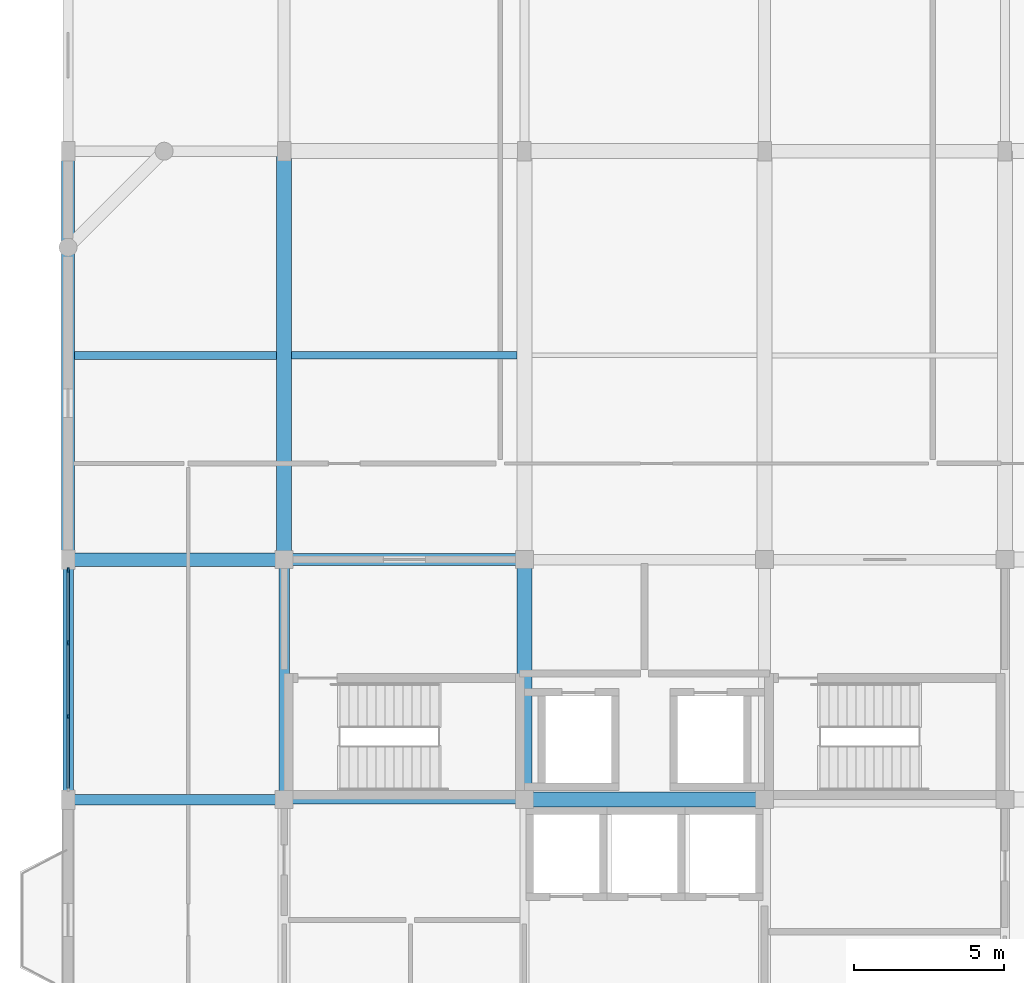
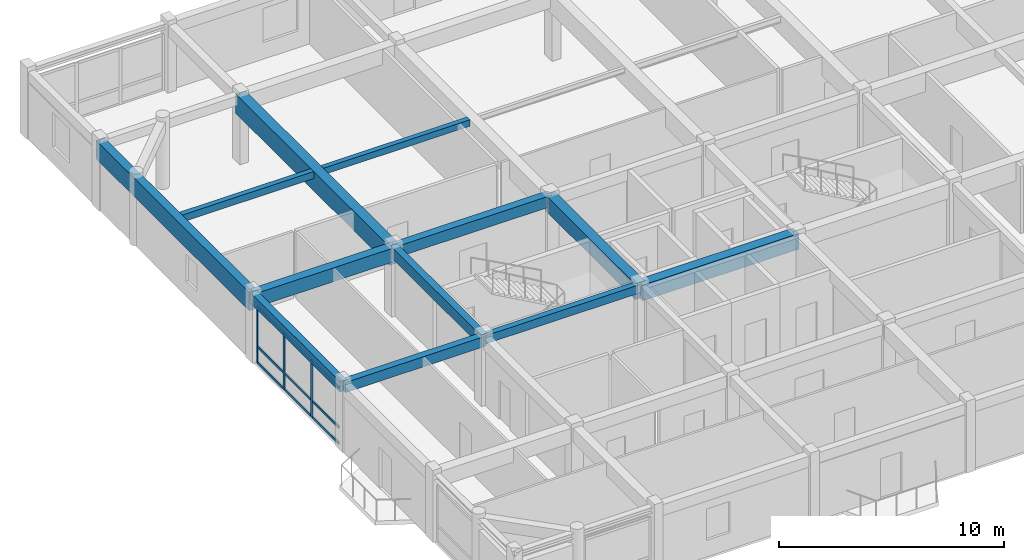
# One storey, part 3 of 13: 12 beams, 12 members, 1 element without a shape of its own.
"""IFC4 building model written with IfcOpenShell, lengths in metres."""

from ifc_helpers import new_model, si_unit, direction, frame, origin, origin_2d, place, context, subcontext, project, spatial, rectangle, extrude, material, material_profile, profile_set, type_object, element, aggregate, save


model = new_model("IFC4")

# Units and contexts
model_context = context("Model", 3, precision=1e-05, world=origin(), true_north=direction((0.0, 1.0)))
body_context = subcontext(model_context, "Body", "Model", "MODEL_VIEW")
ifc_project = project(units=[si_unit("LENGTHUNIT", "METRE"), si_unit("AREAUNIT", "SQUARE_METRE"), si_unit("VOLUMEUNIT", "CUBIC_METRE"), si_unit("PLANEANGLEUNIT", "RADIAN"), si_unit("MASSUNIT", "GRAM", prefix="KILO")], contexts=[model_context])

# Site, building, storey
site_placement = place(None, origin())
site = spatial("IfcSite", under=ifc_project, at=site_placement, CompositionType="ELEMENT")
building_placement = place(site_placement, origin())
building = spatial("IfcBuilding", under=site, at=building_placement, Name="Vellmiral Cinema and Media Centre", CompositionType="ELEMENT")
storey_placement = place(building_placement, frame((0.0, 0.0, 54.800048828125)))
storey = spatial("IfcBuildingStorey", under=building, at=storey_placement, Name="L13", CompositionType="ELEMENT", Elevation=54.800048828125)

# Beams
ifc_material_1 = material(Name="Concrete C40/50", Category="concrete")
ifc_material_profile_1 = material_profile(ifc_material_1, rectangle(XDim=0.300048828125, YDim=0.449951171875, at=origin_2d()), Name="RC 300x450")
ifc_profile_set_1 = profile_set([ifc_material_profile_1], Name="Concrete C40/50")
beam_type_1 = type_object("IfcBeamType", Name="BM-RC-300x450", PredefinedType="BEAM", material=ifc_profile_set_1)
beam_1_placement = place(storey_placement, frame((124.0, 87.199951171875, 3.429931640625), z_axis=(1.0, 0.0, 0.0), x_axis=(0.0, 1.0, 0.0)))
element("IfcBeam", 1, at=beam_1_placement, inside=storey, type_object=beam_type_1, Name="Grid Beam L13-X014", PredefinedType="BEAM", context=body_context, shape_type="SweptSolid", body=[
    extrude(rectangle(XDim=0.300048828125, YDim=0.449951171875, at=origin_2d()), origin(), (0.0, 0.0, 1.0), 8.0),
])
ifc_material_2 = material(Name="Concrete C40/50", Category="concrete")
ifc_material_profile_2 = material_profile(ifc_material_2, rectangle(XDim=0.35009765625, YDim=0.550048828125, at=origin_2d()), Name="RC 350x550")
ifc_profile_set_2 = profile_set([ifc_material_profile_2], Name="Concrete C40/50")
beam_type_2 = type_object("IfcBeamType", Name="BM-RC-350x550", PredefinedType="BEAM", material=ifc_profile_set_2)
beam_2_placement = place(storey_placement, frame((116.800048828125, 87.199951171875, 3.3798828125), z_axis=(1.0, 0.0, 0.0), x_axis=(0.0, 1.0, 0.0)))
element("IfcBeam", 2, at=beam_2_placement, inside=storey, type_object=beam_type_2, Name="Grid Beam L13-X013", PredefinedType="BEAM", context=body_context, shape_type="SweptSolid", body=[
    extrude(rectangle(XDim=0.35009765625, YDim=0.550048828125, at=origin_2d()), origin(), (0.0, 0.0, 1.0), 7.199951171875),
])
ifc_material_3 = material(Name="Concrete C40/50", Category="concrete")
ifc_material_profile_3 = material_profile(ifc_material_3, rectangle(XDim=0.35009765625, YDim=0.60009765625, at=origin_2d()), Name="RC 350x600")
ifc_profile_set_3 = profile_set([ifc_material_profile_3], Name="Concrete C40/50")
beam_type_3 = type_object("IfcBeamType", Name="BM-RC-350x600", PredefinedType="BEAM", material=ifc_profile_set_3)
beam_3_placement = place(storey_placement, frame((124.0, 87.199951171875, 3.35498046875), z_axis=(0.0, 1.0, 0.0), x_axis=(-1.0, 0.0, 0.0)))
element("IfcBeam", 3, at=beam_3_placement, inside=storey, type_object=beam_type_3, Name="Grid Beam L13-Y043", PredefinedType="BEAM", context=body_context, shape_type="SweptSolid", body=[
    extrude(rectangle(XDim=0.35009765625, YDim=0.60009765625, at=origin_2d()), origin(), (0.0, 0.0, 1.0), 8.0),
])
ifc_material_4 = material(Name="Concrete C40/50", Category="concrete")
ifc_material_profile_4 = material_profile(ifc_material_4, rectangle(XDim=0.39990234375, YDim=0.60009765625, at=origin_2d()), Name="RC 400x600")
ifc_profile_set_4 = profile_set([ifc_material_profile_4], Name="Concrete C40/50")
beam_type_4 = type_object("IfcBeamType", Name="BM-RC-400x600", PredefinedType="BEAM", material=ifc_profile_set_4)
beam_4_placement = place(storey_placement, frame((124.0, 95.199951171875, 3.35498046875), z_axis=(1.0, 0.0, 0.0), x_axis=(0.0, 1.0, 0.0)))
element("IfcBeam", 4, at=beam_4_placement, inside=storey, type_object=beam_type_4, Name="Grid Beam L13-X020", PredefinedType="BEAM", context=body_context, shape_type="SweptSolid", body=[
    extrude(rectangle(XDim=0.39990234375, YDim=0.60009765625, at=origin_2d()), origin(), (0.0, 0.0, 1.0), 8.0),
])
ifc_material_5 = material(Name="Concrete C40/50", Category="concrete")
ifc_material_profile_5 = material_profile(ifc_material_5, rectangle(XDim=0.449951171875, YDim=0.75, at=origin_2d()), Name="RC 450x750")
ifc_profile_set_5 = profile_set([ifc_material_profile_5], Name="Concrete C40/50")
beam_type_5 = type_object("IfcBeamType", Name="BM-RC-450x750", PredefinedType="BEAM", material=ifc_profile_set_5)
beam_5_placement = place(storey_placement, frame((116.800048828125, 95.199951171875, 3.280029296875), z_axis=(1.0, 0.0, 0.0), x_axis=(0.0, 1.0, 0.0)))
element("IfcBeam", 5, at=beam_5_placement, inside=storey, type_object=beam_type_5, Name="Grid Beam L13-X019", PredefinedType="BEAM", context=body_context, shape_type="SweptSolid", body=[
    extrude(rectangle(XDim=0.449951171875, YDim=0.75, at=origin_2d()), origin(), (0.0, 0.0, 1.0), 7.199951171875),
])
ifc_material_6 = material(Name="Concrete C40/50", Category="concrete")
ifc_material_profile_6 = material_profile(ifc_material_6, rectangle(XDim=0.5, YDim=0.85009765625, at=origin_2d()), Name="RC 500x850")
ifc_profile_set_6 = profile_set([ifc_material_profile_6], Name="Concrete C40/50")
beam_type_6 = type_object("IfcBeamType", Name="BM-RC-500x850", PredefinedType="BEAM", material=ifc_profile_set_6)
for number, where, z_axis, x_axis, name in (
    (6, (132.0, 87.199951171875, 3.22998046875), (1.0, 0.0, 0.0), (0.0, 1.0, 0.0), "Grid Beam L13-X015"),
    (7, (132.0, 87.199951171875, 3.22998046875), (0.0, 1.0, 0.0), (-1.0, 0.0, 0.0), "Grid Beam L13-Y048"),
):
    element("IfcBeam", number, at=place(storey_placement, frame(where, z_axis=z_axis, x_axis=x_axis)), inside=storey, type_object=beam_type_6, Name=name, PredefinedType="BEAM", context=body_context, shape_type="SweptSolid", body=[
        extrude(rectangle(XDim=0.5, YDim=0.85009765625, at=origin_2d()), origin(), (0.0, 0.0, 1.0), 8.0),
    ])
ifc_material_7 = material(Name="Concrete C40/50", Category="concrete")
ifc_material_profile_7 = material_profile(ifc_material_7, rectangle(XDim=0.5, YDim=1.050048828125, at=origin_2d()), Name="RC 500x1050")
ifc_profile_set_7 = profile_set([ifc_material_profile_7], Name="Concrete C40/50")
beam_type_7 = type_object("IfcBeamType", Name="BM-RCG-500x1050", PredefinedType="BEAM", material=ifc_profile_set_7)
beam_6_placement = place(storey_placement, frame((124.0, 95.199951171875, 3.1298828125), z_axis=(0.0, 1.0, 0.0), x_axis=(-1.0, 0.0, 0.0)))
element("IfcBeam", 8, at=beam_6_placement, inside=storey, type_object=beam_type_7, Name="Grid Beam L13-Y044", PredefinedType="BEAM", context=body_context, shape_type="SweptSolid", body=[
    extrude(rectangle(XDim=0.5, YDim=1.050048828125, at=origin_2d()), origin(), (0.0, 0.0, 1.0), 13.60009765625),
])

# Curtain wall, members
ifc_material_8 = material(Name="Thermally Broken Aluminium and Triple Glazing", Category="aluminium")
curtain_wall_type = type_object("IfcCurtainWallType", Name="CW-TOWER-MID-W", PredefinedType="USERDEFINED", material=ifc_material_8)
curtain_wall_placement = place(storey_placement, origin())
curtain_wall = element("IfcCurtainWall", 9, at=curtain_wall_placement, inside=storey, type_object=curtain_wall_type, Name="Curtain Wall L13-B026", ObjectType="UNITISED CURTAIN WALL", PredefinedType="USERDEFINED")
ifc_material_9 = material(Name="Thermally Broken Anodised Aluminium", Category="aluminium")
ifc_material_profile_8 = material_profile(ifc_material_9, rectangle(XDim=0.06494140625, YDim=0.159912109375, at=origin_2d()), Name="MULL 65x160")
ifc_profile_set_8 = profile_set([ifc_material_profile_8], Name="Thermally Broken Anodised Aluminium")
member_type_1 = type_object("IfcMemberType", Name="CWM-65x160", PredefinedType="MULLION", material=ifc_profile_set_8)
member_1_placement = place(storey_placement, frame((116.800048828125, 94.842529296875, 0.0), z_axis=(0.0, 0.0, 1.0), x_axis=(1.0, 0.0, 0.0)))
member_1 = element("IfcMember", 10, at=member_1_placement, type_object=member_type_1, Name="CW-08 mullion 1", PredefinedType="MULLION", context=body_context, shape_type="SweptSolid", body=[
    extrude(rectangle(XDim=0.06494140625, YDim=0.159912109375, at=origin_2d()), origin(), (0.0, 0.0, 1.0), 3.06005859375),
])
member_2_placement = place(storey_placement, frame((116.800048828125, 92.425048828125, 0.0), z_axis=(0.0, 0.0, 1.0), x_axis=(1.0, 0.0, 0.0)))
member_2 = element("IfcMember", 11, at=member_2_placement, type_object=member_type_1, Name="CW-08 mullion 2", PredefinedType="MULLION", context=body_context, shape_type="SweptSolid", body=[
    extrude(rectangle(XDim=0.06494140625, YDim=0.159912109375, at=origin_2d()), origin(), (0.0, 0.0, 1.0), 3.06005859375),
])
member_3_placement = place(storey_placement, frame((116.800048828125, 89.97509765625, 0.0), z_axis=(0.0, 0.0, 1.0), x_axis=(1.0, 0.0, 0.0)))
member_3 = element("IfcMember", 12, at=member_3_placement, type_object=member_type_1, Name="CW-08 mullion 3", PredefinedType="MULLION", context=body_context, shape_type="SweptSolid", body=[
    extrude(rectangle(XDim=0.06494140625, YDim=0.159912109375, at=origin_2d()), origin(), (0.0, 0.0, 1.0), 3.06005859375),
])
ifc_material_10 = material(Name="Thermally Broken Anodised Aluminium", Category="aluminium")
ifc_material_profile_9 = material_profile(ifc_material_10, rectangle(XDim=0.06494140625, YDim=0.135009765625, at=origin_2d()), Name="MULL 65x135")
ifc_profile_set_9 = profile_set([ifc_material_profile_9], Name="Thermally Broken Anodised Aluminium")
member_type_2 = type_object("IfcMemberType", Name="CWT-65x135", PredefinedType="USERDEFINED", material=ifc_profile_set_9)
member_4_placement = place(storey_placement, frame((116.800048828125, 94.81005859375, 0.032470703125), z_axis=(0.0, -1.0, 0.0), x_axis=(1.0, 0.0, 0.0)))
member_4 = element("IfcMember", 13, at=member_4_placement, type_object=member_type_2, Name="CW-08 transom 1.1", ObjectType="TRANSOM", PredefinedType="USERDEFINED", context=body_context, shape_type="SweptSolid", body=[
    extrude(rectangle(XDim=0.06494140625, YDim=0.135009765625, at=origin_2d()), origin(), (0.0, 0.0, 1.0), 2.3525390625),
])
member_5_placement = place(storey_placement, frame((116.800048828125, 94.81005859375, 0.89990234375), z_axis=(0.0, -1.0, 0.0), x_axis=(1.0, 0.0, 0.0)))
member_5 = element("IfcMember", 14, at=member_5_placement, type_object=member_type_2, Name="CW-08 transom 1.2", ObjectType="TRANSOM", PredefinedType="USERDEFINED", context=body_context, shape_type="SweptSolid", body=[
    extrude(rectangle(XDim=0.06494140625, YDim=0.135009765625, at=origin_2d()), origin(), (0.0, 0.0, 1.0), 2.3525390625),
])
member_6_placement = place(storey_placement, frame((116.800048828125, 94.81005859375, 3.02734375), z_axis=(0.0, -1.0, 0.0), x_axis=(1.0, 0.0, 0.0)))
member_6 = element("IfcMember", 15, at=member_6_placement, type_object=member_type_2, Name="CW-08 transom 1.3", ObjectType="TRANSOM", PredefinedType="USERDEFINED", context=body_context, shape_type="SweptSolid", body=[
    extrude(rectangle(XDim=0.06494140625, YDim=0.135009765625, at=origin_2d()), origin(), (0.0, 0.0, 1.0), 2.3525390625),
])
member_7_placement = place(storey_placement, frame((116.800048828125, 92.392578125, 0.032470703125), z_axis=(0.0, -1.0, 0.0), x_axis=(1.0, 0.0, 0.0)))
member_7 = element("IfcMember", 16, at=member_7_placement, type_object=member_type_2, Name="CW-08 transom 2.1", ObjectType="TRANSOM", PredefinedType="USERDEFINED", context=body_context, shape_type="SweptSolid", body=[
    extrude(rectangle(XDim=0.06494140625, YDim=0.135009765625, at=origin_2d()), origin(), (0.0, 0.0, 1.0), 2.385009765625),
])
member_8_placement = place(storey_placement, frame((116.800048828125, 92.392578125, 0.89990234375), z_axis=(0.0, -1.0, 0.0), x_axis=(1.0, 0.0, 0.0)))
member_8 = element("IfcMember", 17, at=member_8_placement, type_object=member_type_2, Name="CW-08 transom 2.2", ObjectType="TRANSOM", PredefinedType="USERDEFINED", context=body_context, shape_type="SweptSolid", body=[
    extrude(rectangle(XDim=0.06494140625, YDim=0.135009765625, at=origin_2d()), origin(), (0.0, 0.0, 1.0), 2.385009765625),
])
member_9_placement = place(storey_placement, frame((116.800048828125, 92.392578125, 3.02734375), z_axis=(0.0, -1.0, 0.0), x_axis=(1.0, 0.0, 0.0)))
member_9 = element("IfcMember", 18, at=member_9_placement, type_object=member_type_2, Name="CW-08 transom 2.3", ObjectType="TRANSOM", PredefinedType="USERDEFINED", context=body_context, shape_type="SweptSolid", body=[
    extrude(rectangle(XDim=0.06494140625, YDim=0.135009765625, at=origin_2d()), origin(), (0.0, 0.0, 1.0), 2.385009765625),
])
member_10_placement = place(storey_placement, frame((116.800048828125, 89.9423828125, 0.032470703125), z_axis=(0.0, -1.0, 0.0), x_axis=(1.0, 0.0, 0.0)))
member_10 = element("IfcMember", 19, at=member_10_placement, type_object=member_type_2, Name="CW-08 transom 3.1", ObjectType="TRANSOM", PredefinedType="USERDEFINED", context=body_context, shape_type="SweptSolid", body=[
    extrude(rectangle(XDim=0.06494140625, YDim=0.135009765625, at=origin_2d()), origin(), (0.0, 0.0, 1.0), 2.352294921875),
])
member_11_placement = place(storey_placement, frame((116.800048828125, 89.9423828125, 0.89990234375), z_axis=(0.0, -1.0, 0.0), x_axis=(1.0, 0.0, 0.0)))
member_11 = element("IfcMember", 20, at=member_11_placement, type_object=member_type_2, Name="CW-08 transom 3.2", ObjectType="TRANSOM", PredefinedType="USERDEFINED", context=body_context, shape_type="SweptSolid", body=[
    extrude(rectangle(XDim=0.06494140625, YDim=0.135009765625, at=origin_2d()), origin(), (0.0, 0.0, 1.0), 2.352294921875),
])
member_12_placement = place(storey_placement, frame((116.800048828125, 89.9423828125, 3.02734375), z_axis=(0.0, -1.0, 0.0), x_axis=(1.0, 0.0, 0.0)))
member_12 = element("IfcMember", 21, at=member_12_placement, type_object=member_type_2, Name="CW-08 transom 3.3", ObjectType="TRANSOM", PredefinedType="USERDEFINED", context=body_context, shape_type="SweptSolid", body=[
    extrude(rectangle(XDim=0.06494140625, YDim=0.135009765625, at=origin_2d()), origin(), (0.0, 0.0, 1.0), 2.352294921875),
])
aggregate(curtain_wall, [member_1, member_2, member_3, member_4, member_5, member_6, member_7, member_8, member_9, member_10, member_11, member_12])

# Beams
ifc_material_11 = material(Name="Concrete C40/50", Category="concrete")
ifc_material_profile_10 = material_profile(ifc_material_11, rectangle(XDim=0.25, YDim=0.35009765625, at=origin_2d()), Name="RC 250x350")
ifc_profile_set_10 = profile_set([ifc_material_profile_10], Name="Concrete C40/50")
beam_type_8 = type_object("IfcBeamType", Name="JST-RC-250x350", PredefinedType="JOIST", material=ifc_profile_set_10)
beam_7_placement = place(storey_placement, frame((124.25, 102.0, 3.47998046875), z_axis=(1.0, 0.0, 0.0), x_axis=(0.0, 1.0, 0.0)))
element("IfcBeam", 22, at=beam_7_placement, inside=storey, type_object=beam_type_8, Name="Secondary Floor Joist L13-002", PredefinedType="JOIST", context=body_context, shape_type="SweptSolid", body=[
    extrude(rectangle(XDim=0.25, YDim=0.35009765625, at=origin_2d()), origin(), (0.0, 0.0, 1.0), 7.5),
])
ifc_material_12 = material(Name="Concrete C40/50", Category="concrete")
ifc_material_profile_11 = material_profile(ifc_material_12, rectangle(XDim=0.260009765625, YDim=0.3798828125, at=origin_2d()), Name="RC 260x380")
ifc_profile_set_11 = profile_set([ifc_material_profile_11], Name="Concrete C40/50")
beam_type_9 = type_object("IfcBeamType", Name="JST-RC-260x380", PredefinedType="JOIST", material=ifc_profile_set_11)
beam_8_placement = place(storey_placement, frame((117.010009765625, 102.0, 3.46484375), z_axis=(1.0, 0.0, 0.0), x_axis=(0.0, 1.0, 0.0)))
element("IfcBeam", 23, at=beam_8_placement, inside=storey, type_object=beam_type_9, Name="Secondary Floor Joist L13-001", PredefinedType="JOIST", context=body_context, shape_type="SweptSolid", body=[
    extrude(rectangle(XDim=0.260009765625, YDim=0.3798828125, at=origin_2d()), origin(), (0.0, 0.0, 1.0), 6.739990234375),
])
ifc_material_13 = material(Name="Concrete C40/50", Category="concrete")
ifc_material_profile_12 = material_profile(ifc_material_13, rectangle(XDim=0.35009765625, YDim=0.56005859375, at=origin_2d()), Name="RC 350x560")
ifc_profile_set_12 = profile_set([ifc_material_profile_12], Name="Concrete C40/50")
beam_type_10 = type_object("IfcBeamType", Name="SPD-RC-350x560", PredefinedType="SPANDREL", material=ifc_profile_set_12)
beam_9_placement = place(storey_placement, frame((116.800048828125, 87.199951171875, 3.375), z_axis=(0.0, 1.0, 0.0), x_axis=(-1.0, 0.0, 0.0)))
element("IfcBeam", 24, at=beam_9_placement, inside=storey, type_object=beam_type_10, Name="Grid Beam L13-Y038", PredefinedType="SPANDREL", context=body_context, shape_type="SweptSolid", body=[
    extrude(rectangle(XDim=0.35009765625, YDim=0.56005859375, at=origin_2d()), origin(), (0.0, 0.0, 1.0), 8.0),
])
ifc_material_14 = material(Name="Vosges Red Sandstone Masonry", Category="masonry")
ifc_material_profile_13 = material_profile(ifc_material_14, rectangle(XDim=0.419921875, YDim=1.0, at=origin_2d()), Name="SAND 420x1000")
ifc_profile_set_13 = profile_set([ifc_material_profile_13], Name="Vosges Red Sandstone Masonry")
beam_type_11 = type_object("IfcBeamType", Name="SPD-SANDG-420x1000", PredefinedType="SPANDREL", material=ifc_profile_set_13)
beam_10_placement = place(storey_placement, frame((116.800048828125, 95.199951171875, 3.155029296875), z_axis=(0.0, 1.0, 0.0), x_axis=(-1.0, 0.0, 0.0)))
element("IfcBeam", 25, at=beam_10_placement, inside=storey, type_object=beam_type_11, Name="Grid Beam L13-Y039", PredefinedType="SPANDREL", context=body_context, shape_type="SweptSolid", body=[
    extrude(rectangle(XDim=0.419921875, YDim=1.0, at=origin_2d()), origin(), (0.0, 0.0, 1.0), 13.60009765625),
])

save(model, "model.ifc")
